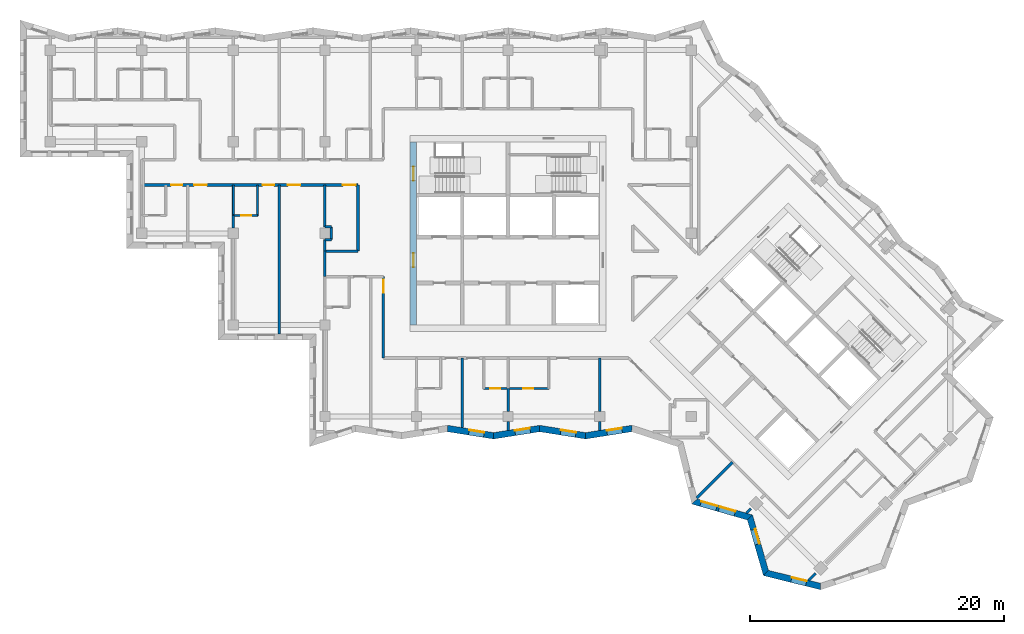
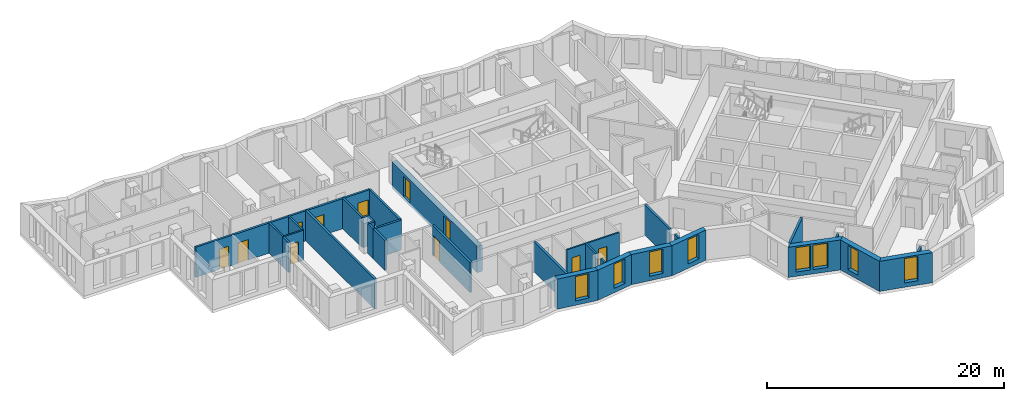
# One storey, part 3 of 13: 32 walls, 11 doors, 8 windows, 19 openings.
"""IFC4 building model written with IfcOpenShell, lengths in metres."""

from ifc_helpers import new_model, si_unit, direction, frame, frame_2d, origin, place, context, subcontext, project, spatial, polyline, rectangle, outline, extrude, material, layer, layer_set, type_object, element, fill, save


model = new_model("IFC4")

# Units and contexts
model_context = context("Model", 3, precision=1e-05, world=origin(), true_north=direction((0.0, 1.0)))
body_context = subcontext(model_context, "Body", "Model", "MODEL_VIEW")
ifc_project = project(units=[si_unit("LENGTHUNIT", "METRE"), si_unit("AREAUNIT", "SQUARE_METRE"), si_unit("VOLUMEUNIT", "CUBIC_METRE"), si_unit("PLANEANGLEUNIT", "RADIAN"), si_unit("MASSUNIT", "GRAM", prefix="KILO")], contexts=[model_context])

# Site, building, storey
site_placement = place(None, origin())
site = spatial("IfcSite", under=ifc_project, at=site_placement, CompositionType="ELEMENT")
building_placement = place(site_placement, origin())
building = spatial("IfcBuilding", under=site, at=building_placement, Name="Windrow Commons", CompositionType="ELEMENT")
storey_placement = place(building_placement, frame((0.0, 0.0, 220.2)))
storey = spatial("IfcBuildingStorey", under=building, at=storey_placement, Name="L60", CompositionType="ELEMENT", Elevation=220.2)

# Wall, opening, window
ifc_material_1 = material(Name="Brick masonry, red clay brick", Category="masonry")
ifc_layer_1 = layer(ifc_material_1, 0.5)
ifc_layer_set_1 = layer_set([ifc_layer_1], Name="Brick facade wall 500")
wall_type_1 = type_object("IfcWallType", Name="Brick facade wall 500", PredefinedType="SOLIDWALL", material=ifc_layer_set_1)
wall_1_placement = place(storey_placement, frame((60.048, 42.2531, 0.0), z_axis=(0.0, 0.0, 1.0), x_axis=(0.9877179637, -0.1562473175, 0.0)))
wall_1 = element("IfcWall", 1, at=wall_1_placement, inside=storey, type_object=wall_type_1, Name="Brick facade wall L60 41", PredefinedType="SOLIDWALL", context=body_context, shape_type="SweptSolid", body=[
    extrude(outline(polyline([(0.0395, -0.25), (3.7005, -0.25), (3.6214, 0.25), (-0.0395, 0.25), (0.0395, -0.25)])), origin(), (0.0, 0.0, 1.0), 3.1),
])
opening_1_placement = place(wall_1_placement, frame((1.6939, 0.0, 0.45)))
opening_1 = element("IfcOpeningElement", 2, at=opening_1_placement, cuts=wall_1, Name="Opening W7E", PredefinedType="OPENING", context=body_context, shape_type="SweptSolid", body=[
    extrude(rectangle(XDim=1.2, YDim=2.5, at=frame_2d((0.6, 1.25))), frame((0.0, 0.26, 0.0), z_axis=(0.0, -1.0, 0.0), x_axis=(1.0, 0.0, 0.0)), (0.0, 0.0, 1.0), 0.52),
])
ifc_material_2 = material(Name="Clear float glass in anodised aluminium frame", Category="aluminium")
window_type_1 = type_object("IfcWindowType", Name="Window W7 notch 1200x2500", PartitioningType="SINGLE_PANEL", PredefinedType="WINDOW", material=ifc_material_2)
window_1_placement = place(opening_1_placement, origin())
window_1 = element("IfcWindow", 3, at=window_1_placement, inside=storey, type_object=window_type_1, Name="Window L60 41.1", OverallHeight=2.5, OverallWidth=1.2, PartitioningType="SINGLE_PANEL", PredefinedType="WINDOW", context=body_context, shape_type="SweptSolid", body=[
    extrude(rectangle(XDim=1.2, YDim=2.5, at=frame_2d((0.6, 1.25))), frame((0.0, 0.18, 0.0), z_axis=(0.0, -1.0, 0.0), x_axis=(1.0, 0.0, 0.0)), (0.0, 0.0, 1.0), 0.06),
])
fill(opening_1, window_1)

wall_2_placement = place(storey_placement, frame((63.6639, 41.6811, 0.0), z_axis=(0.0, 0.0, 1.0), x_axis=(0.9877186305, 0.156243102, 0.0)))
wall_2 = element("IfcWall", 4, at=wall_2_placement, inside=storey, type_object=wall_type_1, Name="Brick facade wall L60 42", PredefinedType="SOLIDWALL", context=body_context, shape_type="SweptSolid", body=[
    extrude(outline(polyline([(-0.0395, -0.25), (3.6214, -0.25), (3.7005, 0.25), (0.0395, 0.25), (-0.0395, -0.25)])), origin(), (0.0, 0.0, 1.0), 3.1),
])
opening_2_placement = place(wall_2_placement, frame((1.7056, 0.0, 0.45)))
opening_2 = element("IfcOpeningElement", 5, at=opening_2_placement, cuts=wall_2, Name="Opening W7E", PredefinedType="OPENING", context=body_context, shape_type="SweptSolid", body=[
    extrude(rectangle(XDim=1.2, YDim=2.5, at=frame_2d((0.6, 1.25))), frame((0.0, 0.26, 0.0), z_axis=(0.0, -1.0, 0.0), x_axis=(1.0, 0.0, 0.0)), (0.0, 0.0, 1.0), 0.52),
])
window_2_placement = place(opening_2_placement, origin())
window_2 = element("IfcWindow", 6, at=window_2_placement, inside=storey, type_object=window_type_1, Name="Window L60 42.1", OverallHeight=2.5, OverallWidth=1.2, PartitioningType="SINGLE_PANEL", PredefinedType="WINDOW", context=body_context, shape_type="SweptSolid", body=[
    extrude(rectangle(XDim=1.2, YDim=2.5, at=frame_2d((0.6, 1.25))), frame((0.0, 0.18, 0.0), z_axis=(0.0, -1.0, 0.0), x_axis=(1.0, 0.0, 0.0)), (0.0, 0.0, 1.0), 0.06),
])
fill(opening_2, window_2)

wall_3_placement = place(storey_placement, frame((67.2799, 42.2531, 0.0), z_axis=(0.0, 0.0, 1.0), x_axis=(0.9877186305, -0.156243102, 0.0)))
wall_3 = element("IfcWall", 7, at=wall_3_placement, inside=storey, type_object=wall_type_1, Name="Brick facade wall L60 43", PredefinedType="SOLIDWALL", context=body_context, shape_type="SweptSolid", body=[
    extrude(outline(polyline([(0.0395, -0.25), (3.7005, -0.25), (3.6214, 0.25), (-0.0395, 0.25), (0.0395, -0.25)])), origin(), (0.0, 0.0, 1.0), 3.1),
])
opening_3_placement = place(wall_3_placement, frame((1.6777, 0.0, 0.45)))
opening_3 = element("IfcOpeningElement", 8, at=opening_3_placement, cuts=wall_3, Name="Opening W7E", PredefinedType="OPENING", context=body_context, shape_type="SweptSolid", body=[
    extrude(rectangle(XDim=1.2, YDim=2.5, at=frame_2d((0.6, 1.25))), frame((0.0, 0.26, 0.0), z_axis=(0.0, -1.0, 0.0), x_axis=(1.0, 0.0, 0.0)), (0.0, 0.0, 1.0), 0.52),
])
window_3_placement = place(opening_3_placement, origin())
window_3 = element("IfcWindow", 9, at=window_3_placement, inside=storey, type_object=window_type_1, Name="Window L60 43.1", OverallHeight=2.5, OverallWidth=1.2, PartitioningType="SINGLE_PANEL", PredefinedType="WINDOW", context=body_context, shape_type="SweptSolid", body=[
    extrude(rectangle(XDim=1.2, YDim=2.5, at=frame_2d((0.6, 1.25))), frame((0.0, 0.18, 0.0), z_axis=(0.0, -1.0, 0.0), x_axis=(1.0, 0.0, 0.0)), (0.0, 0.0, 1.0), 0.06),
])
fill(opening_3, window_3)

wall_4_placement = place(storey_placement, frame((70.8959, 41.6811, 0.0), z_axis=(0.0, 0.0, 1.0), x_axis=(0.9877177726, 0.1562485253, 0.0)))
wall_4 = element("IfcWall", 10, at=wall_4_placement, inside=storey, type_object=wall_type_1, Name="Brick facade wall L60 44", PredefinedType="SOLIDWALL", context=body_context, shape_type="SweptSolid", body=[
    extrude(outline(polyline([(-0.0395, -0.25), (3.6214, -0.25), (3.7412, 0.25), (0.0395, 0.25), (-0.0395, -0.25)])), origin(), (0.0, 0.0, 1.0), 3.1),
])
opening_4_placement = place(wall_4_placement, frame((1.6996, 0.0, 0.45)))
opening_4 = element("IfcOpeningElement", 11, at=opening_4_placement, cuts=wall_4, Name="Opening W7E", PredefinedType="OPENING", context=body_context, shape_type="SweptSolid", body=[
    extrude(rectangle(XDim=1.2, YDim=2.5, at=frame_2d((0.6, 1.25))), frame((0.0, 0.26, 0.0), z_axis=(0.0, -1.0, 0.0), x_axis=(1.0, 0.0, 0.0)), (0.0, 0.0, 1.0), 0.52),
])
window_4_placement = place(opening_4_placement, origin())
window_4 = element("IfcWindow", 12, at=window_4_placement, inside=storey, type_object=window_type_1, Name="Window L60 44.1", OverallHeight=2.5, OverallWidth=1.2, PartitioningType="SINGLE_PANEL", PredefinedType="WINDOW", context=body_context, shape_type="SweptSolid", body=[
    extrude(rectangle(XDim=1.2, YDim=2.5, at=frame_2d((0.6, 1.25))), frame((0.0, 0.18, 0.0), z_axis=(0.0, -1.0, 0.0), x_axis=(1.0, 0.0, 0.0)), (0.0, 0.0, 1.0), 0.06),
])
fill(opening_4, window_4)

# Wall, openings, windows
wall_5_placement = place(storey_placement, frame((79.4524, 36.5176, 0.0), z_axis=(0.0, 0.0, 1.0), x_axis=(0.960966817, -0.2766636526, 0.0)))
wall_5 = element("IfcWall", 13, at=wall_5_placement, inside=storey, type_object=wall_type_1, Name="Brick facade wall L60 47", PredefinedType="SOLIDWALL", context=body_context, shape_type="SweptSolid", body=[
    extrude(outline(polyline([(-0.1444, -0.25), (4.4023, -0.25), (4.6787, 0.25), (0.1444, 0.25), (-0.1444, -0.25)])), origin(), (0.0, 0.0, 1.0), 3.1),
])
opening_5_placement = place(wall_5_placement, frame((0.514, 0.0, 0.45)))
opening_5 = element("IfcOpeningElement", 14, at=opening_5_placement, cuts=wall_5, Name="Opening W1Q", PredefinedType="OPENING", context=body_context, shape_type="SweptSolid", body=[
    extrude(rectangle(XDim=1.3, YDim=2.5, at=frame_2d((0.65, 1.25))), frame((0.0, 0.26, 0.0), z_axis=(0.0, -1.0, 0.0), x_axis=(1.0, 0.0, 0.0)), (0.0, 0.0, 1.0), 0.52),
])
opening_6_placement = place(wall_5_placement, frame((2.014, 0.0, 0.45)))
opening_6 = element("IfcOpeningElement", 15, at=opening_6_placement, cuts=wall_5, Name="Opening W1Q", PredefinedType="OPENING", context=body_context, shape_type="SweptSolid", body=[
    extrude(rectangle(XDim=1.3, YDim=2.5, at=frame_2d((0.65, 1.25))), frame((0.0, 0.26, 0.0), z_axis=(0.0, -1.0, 0.0), x_axis=(1.0, 0.0, 0.0)), (0.0, 0.0, 1.0), 0.52),
])
ifc_material_3 = material(Name="Clear float glass in anodised aluminium frame", Category="aluminium")
window_type_2 = type_object("IfcWindowType", Name="Window W1Q pair 1300x2500", PartitioningType="SINGLE_PANEL", PredefinedType="WINDOW", material=ifc_material_3)
window_5_placement = place(opening_5_placement, origin())
window_5 = element("IfcWindow", 16, at=window_5_placement, inside=storey, type_object=window_type_2, Name="Window L60 47.1A", OverallHeight=2.5, OverallWidth=1.3, PartitioningType="SINGLE_PANEL", PredefinedType="WINDOW", context=body_context, shape_type="SweptSolid", body=[
    extrude(rectangle(XDim=1.3, YDim=2.5, at=frame_2d((0.65, 1.25))), frame((0.0, 0.18, 0.0), z_axis=(0.0, -1.0, 0.0), x_axis=(1.0, 0.0, 0.0)), (0.0, 0.0, 1.0), 0.06),
])
fill(opening_5, window_5)
window_6_placement = place(opening_6_placement, origin())
window_6 = element("IfcWindow", 17, at=window_6_placement, inside=storey, type_object=window_type_2, Name="Window L60 47.1B", OverallHeight=2.5, OverallWidth=1.3, PartitioningType="SINGLE_PANEL", PredefinedType="WINDOW", context=body_context, shape_type="SweptSolid", body=[
    extrude(rectangle(XDim=1.3, YDim=2.5, at=frame_2d((0.65, 1.25))), frame((0.0, 0.18, 0.0), z_axis=(0.0, -1.0, 0.0), x_axis=(1.0, 0.0, 0.0)), (0.0, 0.0, 1.0), 0.06),
])
fill(opening_6, window_6)

# Wall, opening, window
wall_6_placement = place(storey_placement, frame((83.8157, 35.2614, 0.0), z_axis=(0.0, 0.0, 1.0), x_axis=(0.2766636526, -0.960966817, 0.0)))
wall_6 = element("IfcWall", 18, at=wall_6_placement, inside=storey, type_object=wall_type_1, Name="Brick facade wall L60 48", PredefinedType="SOLIDWALL", context=body_context, shape_type="SweptSolid", body=[
    extrude(outline(polyline([(0.1382, -0.25), (4.6849, -0.25), (4.3961, 0.25), (-0.1382, 0.25), (0.1382, -0.25)])), origin(), (0.0, 0.0, 1.0), 3.1),
])
opening_7_placement = place(wall_6_placement, frame((0.9888, 0.0, 0.45)))
opening_7 = element("IfcOpeningElement", 19, at=opening_7_placement, cuts=wall_6, Name="Opening W7E", PredefinedType="OPENING", context=body_context, shape_type="SweptSolid", body=[
    extrude(rectangle(XDim=1.2, YDim=2.5, at=frame_2d((0.6, 1.25))), frame((0.0, 0.26, 0.0), z_axis=(0.0, -1.0, 0.0), x_axis=(1.0, 0.0, 0.0)), (0.0, 0.0, 1.0), 0.52),
])
window_7_placement = place(opening_7_placement, origin())
window_7 = element("IfcWindow", 20, at=window_7_placement, inside=storey, type_object=window_type_1, Name="Window L60 48.1", OverallHeight=2.5, OverallWidth=1.2, PartitioningType="SINGLE_PANEL", PredefinedType="WINDOW", context=body_context, shape_type="SweptSolid", body=[
    extrude(rectangle(XDim=1.2, YDim=2.5, at=frame_2d((0.6, 1.25))), frame((0.0, 0.18, 0.0), z_axis=(0.0, -1.0, 0.0), x_axis=(1.0, 0.0, 0.0)), (0.0, 0.0, 1.0), 0.06),
])
fill(opening_7, window_7)

wall_7_placement = place(storey_placement, frame((85.0719, 30.8981, 0.0), z_axis=(0.0, 0.0, 1.0), x_axis=(0.9707042236, -0.2402775693, 0.0)))
wall_7 = element("IfcWall", 21, at=wall_7_placement, inside=storey, type_object=wall_type_1, Name="Brick facade wall L60 49", PredefinedType="SOLIDWALL", context=body_context, shape_type="SweptSolid", body=[
    extrude(outline(polyline([(-0.1444, -0.25), (4.5024, -0.25), (4.3574, 0.25), (0.1444, 0.25), (-0.1444, -0.25)])), origin(), (0.0, 0.0, 1.0), 3.1),
])
opening_8_placement = place(wall_7_placement, frame((2.0628, 0.0, 0.45)))
opening_8 = element("IfcOpeningElement", 22, at=opening_8_placement, cuts=wall_7, Name="Opening W7E", PredefinedType="OPENING", context=body_context, shape_type="SweptSolid", body=[
    extrude(rectangle(XDim=1.2, YDim=2.5, at=frame_2d((0.6, 1.25))), frame((0.0, 0.26, 0.0), z_axis=(0.0, -1.0, 0.0), x_axis=(1.0, 0.0, 0.0)), (0.0, 0.0, 1.0), 0.52),
])
window_8_placement = place(opening_8_placement, origin())
window_8 = element("IfcWindow", 23, at=window_8_placement, inside=storey, type_object=window_type_1, Name="Window L60 49.1", OverallHeight=2.5, OverallWidth=1.2, PartitioningType="SINGLE_PANEL", PredefinedType="WINDOW", context=body_context, shape_type="SweptSolid", body=[
    extrude(rectangle(XDim=1.2, YDim=2.5, at=frame_2d((0.6, 1.25))), frame((0.0, 0.18, 0.0), z_axis=(0.0, -1.0, 0.0), x_axis=(1.0, 0.0, 0.0)), (0.0, 0.0, 1.0), 0.06),
])
fill(opening_8, window_8)

# Wall, openings, doors
ifc_material_4 = material(Name="Blockwork partition", Category="masonry")
ifc_layer_2 = layer(ifc_material_4, 0.2)
ifc_layer_set_2 = layer_set([ifc_layer_2], Name="IW-CORRIDOR-200")
wall_type_2 = type_object("IfcWallType", Name="IW-CORRIDOR-200", PredefinedType="PARTITIONING", material=ifc_layer_set_2)
wall_8_placement = place(storey_placement, frame((36.0, 61.4, 0.0), z_axis=(0.0, 0.0, 1.0), x_axis=(1.0, 0.0, 0.0)))
wall_8 = element("IfcWall", 24, at=wall_8_placement, inside=storey, type_object=wall_type_2, Name="W-L60-W002", PredefinedType="PARTITIONING", context=body_context, shape_type="SweptSolid", body=[
    extrude(rectangle(XDim=17.0, YDim=0.2, at=frame_2d((8.5, 0.0))), origin(), (0.0, 0.0, 1.0), 3.1),
])
opening_9_placement = place(wall_8_placement, frame((2.3, 0.0, 0.0)))
opening_9 = element("IfcOpeningElement", 25, at=opening_9_placement, cuts=wall_8, Name="Opening D109S", PredefinedType="OPENING", context=body_context, shape_type="SweptSolid", body=[
    extrude(rectangle(XDim=0.9, YDim=2.1, at=frame_2d((0.45, 1.05))), frame((0.0, 0.11, 0.0), z_axis=(0.0, -1.0, 0.0), x_axis=(1.0, 0.0, 0.0)), (0.0, 0.0, 1.0), 0.22),
])
opening_10_placement = place(wall_8_placement, frame((4.125, 0.0, 0.0)))
opening_10 = element("IfcOpeningElement", 26, at=opening_10_placement, cuts=wall_8, Name="Opening D310F", PredefinedType="OPENING", context=body_context, shape_type="SweptSolid", body=[
    extrude(rectangle(XDim=1.0, YDim=2.1, at=frame_2d((0.5, 1.05))), frame((0.0, 0.11, 0.0), z_axis=(0.0, -1.0, 0.0), x_axis=(1.0, 0.0, 0.0)), (0.0, 0.0, 1.0), 0.22),
])
opening_11_placement = place(wall_8_placement, frame((9.5, 0.0, 0.0)))
opening_11 = element("IfcOpeningElement", 27, at=opening_11_placement, cuts=wall_8, Name="Opening D109S", PredefinedType="OPENING", context=body_context, shape_type="SweptSolid", body=[
    extrude(rectangle(XDim=0.9, YDim=2.1, at=frame_2d((0.45, 1.05))), frame((0.0, 0.11, 0.0), z_axis=(0.0, -1.0, 0.0), x_axis=(1.0, 0.0, 0.0)), (0.0, 0.0, 1.0), 0.22),
])
opening_12_placement = place(wall_8_placement, frame((11.48, 0.0, 0.0)))
opening_12 = element("IfcOpeningElement", 28, at=opening_12_placement, cuts=wall_8, Name="Opening D310F", PredefinedType="OPENING", context=body_context, shape_type="SweptSolid", body=[
    extrude(rectangle(XDim=1.0, YDim=2.1, at=frame_2d((0.5, 1.05))), frame((0.0, 0.11, 0.0), z_axis=(0.0, -1.0, 0.0), x_axis=(1.0, 0.0, 0.0)), (0.0, 0.0, 1.0), 0.22),
])
opening_13_placement = place(wall_8_placement, frame((15.805, 0.0, 0.0)))
opening_13 = element("IfcOpeningElement", 29, at=opening_13_placement, cuts=wall_8, Name="Opening D410F", PredefinedType="OPENING", context=body_context, shape_type="SweptSolid", body=[
    extrude(rectangle(XDim=1.0, YDim=2.1, at=frame_2d((0.5, 1.05))), frame((0.0, 0.11, 0.0), z_axis=(0.0, -1.0, 0.0), x_axis=(1.0, 0.0, 0.0)), (0.0, 0.0, 1.0), 0.22),
])
ifc_material_5 = material(Name="Timber door leaf", Category="wood")
door_type_1 = type_object("IfcDoorType", Name="DT-AMENITY-1000", OperationType="SINGLE_SWING_LEFT", PredefinedType="DOOR", material=ifc_material_5)
door_1_placement = place(opening_10_placement, origin())
door_1 = element("IfcDoor", 30, at=door_1_placement, inside=storey, type_object=door_type_1, Name="D-L60-D011", OperationType="SINGLE_SWING_RIGHT", OverallHeight=2.1, OverallWidth=1.0, PredefinedType="DOOR", context=body_context, shape_type="SweptSolid", body=[
    extrude(rectangle(XDim=1.0, YDim=2.1, at=frame_2d((0.5, 1.05))), frame((0.0, 0.025, 0.0), z_axis=(0.0, -1.0, 0.0), x_axis=(1.0, 0.0, 0.0)), (0.0, 0.0, 1.0), 0.05),
])
fill(opening_10, door_1)
door_2_placement = place(opening_12_placement, origin())
door_2 = element("IfcDoor", 31, at=door_2_placement, inside=storey, type_object=door_type_1, Name="D-L60-D025", OperationType="SINGLE_SWING_RIGHT", OverallHeight=2.1, OverallWidth=1.0, PredefinedType="DOOR", context=body_context, shape_type="SweptSolid", body=[
    extrude(rectangle(XDim=1.0, YDim=2.1, at=frame_2d((0.5, 1.05))), frame((0.0, 0.025, 0.0), z_axis=(0.0, -1.0, 0.0), x_axis=(1.0, 0.0, 0.0)), (0.0, 0.0, 1.0), 0.05),
])
fill(opening_12, door_2)
ifc_material_6 = material(Name="Timber door leaf", Category="wood")
door_type_2 = type_object("IfcDoorType", Name="DT-BEDROOM-900", OperationType="SINGLE_SWING_LEFT", PredefinedType="DOOR", material=ifc_material_6)
door_3_placement = place(opening_9_placement, origin())
door_3 = element("IfcDoor", 32, at=door_3_placement, inside=storey, type_object=door_type_2, Name="D-L60-D009", OperationType="SINGLE_SWING_LEFT", OverallHeight=2.1, OverallWidth=0.9, PredefinedType="DOOR", context=body_context, shape_type="SweptSolid", body=[
    extrude(rectangle(XDim=0.9, YDim=2.1, at=frame_2d((0.45, 1.05))), frame((0.0, 0.025, 0.0), z_axis=(0.0, -1.0, 0.0), x_axis=(1.0, 0.0, 0.0)), (0.0, 0.0, 1.0), 0.05),
])
fill(opening_9, door_3)
door_4_placement = place(opening_11_placement, origin())
door_4 = element("IfcDoor", 33, at=door_4_placement, inside=storey, type_object=door_type_2, Name="D-L60-D012", OperationType="SINGLE_SWING_LEFT", OverallHeight=2.1, OverallWidth=0.9, PredefinedType="DOOR", context=body_context, shape_type="SweptSolid", body=[
    extrude(rectangle(XDim=0.9, YDim=2.1, at=frame_2d((0.45, 1.05))), frame((0.0, 0.025, 0.0), z_axis=(0.0, -1.0, 0.0), x_axis=(1.0, 0.0, 0.0)), (0.0, 0.0, 1.0), 0.05),
])
fill(opening_11, door_4)
ifc_material_7 = material(Name="Timber door leaf", Category="wood")
door_type_3 = type_object("IfcDoorType", Name="DT-SERVICE-1000", OperationType="SINGLE_SWING_LEFT", PredefinedType="DOOR", material=ifc_material_7)
door_5_placement = place(opening_13_placement, origin())
door_5 = element("IfcDoor", 34, at=door_5_placement, inside=storey, type_object=door_type_3, Name="D-L60-D029", OperationType="SINGLE_SWING_LEFT", OverallHeight=2.1, OverallWidth=1.0, PredefinedType="DOOR", context=body_context, shape_type="SweptSolid", body=[
    extrude(rectangle(XDim=1.0, YDim=2.1, at=frame_2d((0.5, 1.05))), frame((0.0, 0.025, 0.0), z_axis=(0.0, -1.0, 0.0), x_axis=(1.0, 0.0, 0.0)), (0.0, 0.0, 1.0), 0.05),
])
fill(opening_13, door_5)

# Wall, opening, door
wall_9_placement = place(storey_placement, frame((55.0, 47.8, 0.0), z_axis=(0.0, 0.0, 1.0), x_axis=(0.0, 1.0, 0.0)))
wall_9 = element("IfcWall", 35, at=wall_9_placement, inside=storey, type_object=wall_type_2, Name="W-L60-W020", PredefinedType="PARTITIONING", context=body_context, shape_type="SweptSolid", body=[
    extrude(rectangle(XDim=6.4, YDim=0.2, at=frame_2d((3.2, 0.0))), origin(), (0.0, 0.0, 1.0), 3.1),
])
opening_14_placement = place(wall_9_placement, frame((5.1475, 0.0, 0.0)))
opening_14 = element("IfcOpeningElement", 36, at=opening_14_placement, cuts=wall_9, Name="Opening D310F", PredefinedType="OPENING", context=body_context, shape_type="SweptSolid", body=[
    extrude(rectangle(XDim=1.0, YDim=2.1, at=frame_2d((0.5, 1.05))), frame((0.0, 0.11, 0.0), z_axis=(0.0, -1.0, 0.0), x_axis=(1.0, 0.0, 0.0)), (0.0, 0.0, 1.0), 0.22),
])
door_6_placement = place(opening_14_placement, origin())
door_6 = element("IfcDoor", 37, at=door_6_placement, inside=storey, type_object=door_type_1, Name="D-L60-D028", OperationType="SINGLE_SWING_RIGHT", OverallHeight=2.1, OverallWidth=1.0, PredefinedType="DOOR", context=body_context, shape_type="SweptSolid", body=[
    extrude(rectangle(XDim=1.0, YDim=2.1, at=frame_2d((0.5, 1.05))), frame((0.0, 0.025, 0.0), z_axis=(0.0, -1.0, 0.0), x_axis=(1.0, 0.0, 0.0)), (0.0, 0.0, 1.0), 0.05),
])
fill(opening_14, door_6)

# Walls
wall_10_placement = place(storey_placement, frame((53.0, 56.202, 0.0), z_axis=(0.0, 0.0, 1.0), x_axis=(0.0, 1.0, 0.0)))
element("IfcWall", 38, at=wall_10_placement, inside=storey, type_object=wall_type_2, Name="W-L60-W029", PredefinedType="PARTITIONING", context=body_context, shape_type="SweptSolid", body=[
    extrude(rectangle(XDim=5.198, YDim=0.2, at=frame_2d((2.599, 0.0))), origin(), (0.0, 0.0, 1.0), 3.1),
])
wall_11_placement = place(storey_placement, frame((50.4, 56.2, 0.0), z_axis=(0.0, 0.0, 1.0), x_axis=(1.0, 0.0, 0.0)))
element("IfcWall", 39, at=wall_11_placement, inside=storey, type_object=wall_type_2, Name="W-L60-W066", PredefinedType="PARTITIONING", context=body_context, shape_type="SweptSolid", body=[
    extrude(rectangle(XDim=2.6, YDim=0.2, at=frame_2d((1.3, 0.0))), origin(), (0.0, 0.0, 1.0), 3.1),
])
wall_12_placement = place(storey_placement, frame((50.4, 54.2, 0.0), z_axis=(0.0, 0.0, 1.0), x_axis=(0.0, 1.0, 0.0)))
element("IfcWall", 40, at=wall_12_placement, inside=storey, type_object=wall_type_2, Name="W-L60-W109", PredefinedType="PARTITIONING", context=body_context, shape_type="SweptSolid", body=[
    extrude(rectangle(XDim=2.0, YDim=0.2, at=frame_2d((1.0, 0.0))), origin(), (0.0, 0.0, 1.0), 3.1),
])

# Wall, openings, doors
ifc_material_8 = material(Name="Blockwork partition", Category="masonry")
ifc_layer_3 = layer(ifc_material_8, 0.15)
ifc_layer_set_3 = layer_set([ifc_layer_3], Name="IW-ENSUITE-150")
wall_type_3 = type_object("IfcWallType", Name="IW-ENSUITE-150", PredefinedType="PARTITIONING", material=ifc_layer_set_3)
wall_13_placement = place(storey_placement, frame((62.9, 45.4, 0.0), z_axis=(0.0, 0.0, 1.0), x_axis=(1.0, 0.0, 0.0)))
wall_13 = element("IfcWall", 41, at=wall_13_placement, inside=storey, type_object=wall_type_3, Name="W-L60-W030", PredefinedType="PARTITIONING", context=body_context, shape_type="SweptSolid", body=[
    extrude(rectangle(XDim=5.1, YDim=0.15, at=frame_2d((2.55, 0.0))), origin(), (0.0, 0.0, 1.0), 3.1),
])
opening_15_placement = place(wall_13_placement, frame((0.4931, 0.0, 0.0)))
opening_15 = element("IfcOpeningElement", 42, at=opening_15_placement, cuts=wall_13, Name="Opening D208N", PredefinedType="OPENING", context=body_context, shape_type="SweptSolid", body=[
    extrude(rectangle(XDim=0.8, YDim=2.1, at=frame_2d((0.4, 1.05))), frame((0.0, 0.085, 0.0), z_axis=(0.0, -1.0, 0.0), x_axis=(1.0, 0.0, 0.0)), (0.0, 0.0, 1.0), 0.17),
])
opening_16_placement = place(wall_13_placement, frame((3.0958, 0.0, 0.0)))
opening_16 = element("IfcOpeningElement", 43, at=opening_16_placement, cuts=wall_13, Name="Opening D208N", PredefinedType="OPENING", context=body_context, shape_type="SweptSolid", body=[
    extrude(rectangle(XDim=0.8, YDim=2.1, at=frame_2d((0.4, 1.05))), frame((0.0, 0.085, 0.0), z_axis=(0.0, -1.0, 0.0), x_axis=(1.0, 0.0, 0.0)), (0.0, 0.0, 1.0), 0.17),
])
ifc_material_9 = material(Name="Timber door leaf", Category="wood")
door_type_4 = type_object("IfcDoorType", Name="DT-ENSUITE-800", OperationType="SINGLE_SWING_LEFT", PredefinedType="DOOR", material=ifc_material_9)
door_7_placement = place(opening_15_placement, origin())
door_7 = element("IfcDoor", 44, at=door_7_placement, inside=storey, type_object=door_type_4, Name="D-L60-D033", OperationType="SINGLE_SWING_RIGHT", OverallHeight=2.1, OverallWidth=0.8, PredefinedType="DOOR", context=body_context, shape_type="SweptSolid", body=[
    extrude(rectangle(XDim=0.8, YDim=2.1, at=frame_2d((0.4, 1.05))), frame((0.0, 0.025, 0.0), z_axis=(0.0, -1.0, 0.0), x_axis=(1.0, 0.0, 0.0)), (0.0, 0.0, 1.0), 0.05),
])
fill(opening_15, door_7)
door_8_placement = place(opening_16_placement, origin())
door_8 = element("IfcDoor", 45, at=door_8_placement, inside=storey, type_object=door_type_4, Name="D-L60-D035", OperationType="SINGLE_SWING_RIGHT", OverallHeight=2.1, OverallWidth=0.8, PredefinedType="DOOR", context=body_context, shape_type="SweptSolid", body=[
    extrude(rectangle(XDim=0.8, YDim=2.1, at=frame_2d((0.4, 1.05))), frame((0.0, 0.025, 0.0), z_axis=(0.0, -1.0, 0.0), x_axis=(1.0, 0.0, 0.0)), (0.0, 0.0, 1.0), 0.05),
])
fill(opening_16, door_8)

# Walls
for number, where, z_axis, x_axis, name in (
    (46, (45.1, 59.0, 0.0), (0.0, 0.0, 1.0), (0.0, 1.0, 0.0), "W-L60-W082"),
    (47, (43.2, 59.0, 0.0), (0.0, 0.0, 1.0), (0.0, 1.0, 0.0), "W-L60-W083"),
):
    element("IfcWall", number, at=place(storey_placement, frame(where, z_axis=z_axis, x_axis=x_axis)), inside=storey, type_object=wall_type_3, Name=name, PredefinedType="PARTITIONING", context=body_context, shape_type="SweptSolid", body=[
        extrude(rectangle(XDim=2.4, YDim=0.15, at=frame_2d((1.2, 0.0))), origin(), (0.0, 0.0, 1.0), 3.1),
    ])

# Wall, opening, door
wall_14_placement = place(storey_placement, frame((43.2, 59.0, 0.0), z_axis=(0.0, 0.0, 1.0), x_axis=(1.0, 0.0, 0.0)))
wall_14 = element("IfcWall", 48, at=wall_14_placement, inside=storey, type_object=wall_type_3, Name="W-L60-W120", PredefinedType="PARTITIONING", context=body_context, shape_type="SweptSolid", body=[
    extrude(rectangle(XDim=1.9, YDim=0.15, at=frame_2d((0.95, 0.0))), origin(), (0.0, 0.0, 1.0), 3.1),
])
opening_17_placement = place(wall_14_placement, frame((0.6069, 0.0, 0.0)))
opening_17 = element("IfcOpeningElement", 49, at=opening_17_placement, cuts=wall_14, Name="Opening D208N", PredefinedType="OPENING", context=body_context, shape_type="SweptSolid", body=[
    extrude(rectangle(XDim=0.8, YDim=2.1, at=frame_2d((0.4, 1.05))), frame((0.0, 0.085, 0.0), z_axis=(0.0, -1.0, 0.0), x_axis=(1.0, 0.0, 0.0)), (0.0, 0.0, 1.0), 0.17),
])
door_9_placement = place(opening_17_placement, origin())
door_9 = element("IfcDoor", 50, at=door_9_placement, inside=storey, type_object=door_type_4, Name="D-L60-D013", OperationType="SINGLE_SWING_RIGHT", OverallHeight=2.1, OverallWidth=0.8, PredefinedType="DOOR", context=body_context, shape_type="SweptSolid", body=[
    extrude(rectangle(XDim=0.8, YDim=2.1, at=frame_2d((0.4, 1.05))), frame((0.0, 0.025, 0.0), z_axis=(0.0, -1.0, 0.0), x_axis=(1.0, 0.0, 0.0)), (0.0, 0.0, 1.0), 0.05),
])
fill(opening_17, door_9)

# Walls
ifc_material_10 = material(Name="Blockwork partition", Category="masonry")
ifc_layer_4 = layer(ifc_material_10, 0.2)
ifc_layer_set_4 = layer_set([ifc_layer_4], Name="IW-PARTY-200")
wall_type_4 = type_object("IfcWallType", Name="IW-PARTY-200", PredefinedType="PARTITIONING", material=ifc_layer_set_4)
wall_15_placement = place(storey_placement, frame((46.8, 49.7, 0.0), z_axis=(0.0, 0.0, 1.0), x_axis=(0.0, 1.0, 0.0)))
element("IfcWall", 51, at=wall_15_placement, inside=storey, type_object=wall_type_4, Name="W-L60-W006", PredefinedType="PARTITIONING", context=body_context, shape_type="SweptSolid", body=[
    extrude(rectangle(XDim=11.7, YDim=0.2, at=frame_2d((5.85, 0.0))), origin(), (0.0, 0.0, 1.0), 3.1),
])
wall_16_placement = place(storey_placement, frame((61.2, 42.324, 0.0), z_axis=(0.0, 0.0, 1.0), x_axis=(0.0, 1.0, 0.0)))
element("IfcWall", 52, at=wall_16_placement, inside=storey, type_object=wall_type_4, Name="W-L60-W027", PredefinedType="PARTITIONING", context=body_context, shape_type="SweptSolid", body=[
    extrude(rectangle(XDim=5.476, YDim=0.2, at=frame_2d((2.738, 0.0))), origin(), (0.0, 0.0, 1.0), 3.1),
])
wall_17_placement = place(storey_placement, frame((72.0, 43.6, 0.0), z_axis=(0.0, 0.0, 1.0), x_axis=(0.0, 1.0, 0.0)))
element("IfcWall", 53, at=wall_17_placement, inside=storey, type_object=wall_type_4, Name="W-L60-W043", PredefinedType="PARTITIONING", context=body_context, shape_type="SweptSolid", body=[
    extrude(rectangle(XDim=4.2, YDim=0.2, at=frame_2d((2.1, 0.0))), origin(), (0.0, 0.0, 1.0), 3.1),
])
wall_18_placement = place(storey_placement, frame((79.6394, 36.8028, 0.0), z_axis=(0.0, 0.0, 1.0), x_axis=(0.7071067812, 0.7071067812, 0.0)))
element("IfcWall", 54, at=wall_18_placement, inside=storey, type_object=wall_type_4, Name="W-L60-W047", PredefinedType="PARTITIONING", context=body_context, shape_type="SweptSolid", body=[
    extrude(rectangle(XDim=3.9766, YDim=0.2, at=frame_2d((1.9883, 0.0))), origin(), (0.0, 0.0, 1.0), 3.1),
])
wall_19_placement = place(storey_placement, frame((50.4, 58.106, 0.0), z_axis=(0.0, 0.0, 1.0), x_axis=(0.0, 1.0, 0.0)))
element("IfcWall", 55, at=wall_19_placement, inside=storey, type_object=wall_type_4, Name="W-L60-W061", PredefinedType="PARTITIONING", context=body_context, shape_type="SweptSolid", body=[
    extrude(rectangle(XDim=3.294, YDim=0.2, at=frame_2d((1.647, 0.0))), origin(), (0.0, 0.0, 1.0), 3.1),
])
wall_20_placement = place(storey_placement, frame((64.8, 43.6, 0.0), z_axis=(0.0, 0.0, 1.0), x_axis=(0.0, 1.0, 0.0)))
element("IfcWall", 56, at=wall_20_placement, inside=storey, type_object=wall_type_4, Name="W-L60-W129", PredefinedType="PARTITIONING", context=body_context, shape_type="SweptSolid", body=[
    extrude(rectangle(XDim=1.8, YDim=0.2, at=frame_2d((0.9, 0.0))), origin(), (0.0, 0.0, 1.0), 3.1),
])
wall_21_placement = place(storey_placement, frame((50.9, 57.096, 0.0), z_axis=(0.0, 0.0, 1.0), x_axis=(0.0, 1.0, 0.0)))
element("IfcWall", 57, at=wall_21_placement, inside=storey, type_object=wall_type_4, Name="W-L60-W137", PredefinedType="PARTITIONING", context=body_context, shape_type="SweptSolid", body=[
    extrude(rectangle(XDim=1.01, YDim=0.2, at=frame_2d((0.505, 0.0))), origin(), (0.0, 0.0, 1.0), 3.1),
])
wall_22_placement = place(storey_placement, frame((43.2, 58.0, 0.0), z_axis=(0.0, 0.0, 1.0), x_axis=(0.0, 1.0, 0.0)))
element("IfcWall", 58, at=wall_22_placement, inside=storey, type_object=wall_type_4, Name="W-L60-W143", PredefinedType="PARTITIONING", context=body_context, shape_type="SweptSolid", body=[
    extrude(rectangle(XDim=1.0, YDim=0.2, at=frame_2d((0.5, 0.0))), origin(), (0.0, 0.0, 1.0), 3.1),
])
wall_23_placement = place(storey_placement, frame((50.4, 56.2, 0.0), z_axis=(0.0, 0.0, 1.0), x_axis=(0.0, 1.0, 0.0)))
element("IfcWall", 59, at=wall_23_placement, inside=storey, type_object=wall_type_4, Name="W-L60-W145", PredefinedType="PARTITIONING", context=body_context, shape_type="SweptSolid", body=[
    extrude(rectangle(XDim=0.896, YDim=0.2, at=frame_2d((0.448, 0.0))), origin(), (0.0, 0.0, 1.0), 3.1),
])
wall_24_placement = place(storey_placement, frame((88.4389, 30.3222, 0.0), z_axis=(0.0, 0.0, 1.0), x_axis=(0.7085960355, 0.7056143837, 0.0)))
element("IfcWall", 60, at=wall_24_placement, inside=storey, type_object=wall_type_4, Name="W-L60-W150", PredefinedType="PARTITIONING", context=body_context, shape_type="SweptSolid", body=[
    extrude(rectangle(XDim=0.7714, YDim=0.2, at=frame_2d((0.3857, 0.0))), origin(), (0.0, 0.0, 1.0), 3.1),
])
wall_25_placement = place(storey_placement, frame((72.0, 42.1089, 0.0), z_axis=(0.0, 0.0, 1.0), x_axis=(0.0, 1.0, 0.0)))
element("IfcWall", 61, at=wall_25_placement, inside=storey, type_object=wall_type_4, Name="W-L60-W153", PredefinedType="PARTITIONING", context=body_context, shape_type="SweptSolid", body=[
    extrude(rectangle(XDim=0.6911, YDim=0.2, at=frame_2d((0.3456, 0.0))), origin(), (0.0, 0.0, 1.0), 3.1),
])
wall_26_placement = place(storey_placement, frame((64.8, 42.1139, 0.0), z_axis=(0.0, 0.0, 1.0), x_axis=(0.0, 1.0, 0.0)))
element("IfcWall", 62, at=wall_26_placement, inside=storey, type_object=wall_type_4, Name="W-L60-W154", PredefinedType="PARTITIONING", context=body_context, shape_type="SweptSolid", body=[
    extrude(rectangle(XDim=0.6861, YDim=0.2, at=frame_2d((0.3431, 0.0))), origin(), (0.0, 0.0, 1.0), 3.1),
])
for number, where, z_axis, x_axis, name in (
    (63, (50.4, 58.11, 0.0), (0.0, 0.0, 1.0), (1.0, 0.0, 0.0), "W-L60-W163"),
    (64, (50.4, 57.1, 0.0), (0.0, 0.0, 1.0), (1.0, 0.0, 0.0), "W-L60-W164"),
):
    element("IfcWall", number, at=place(storey_placement, frame(where, z_axis=z_axis, x_axis=x_axis)), inside=storey, type_object=wall_type_4, Name=name, PredefinedType="PARTITIONING", context=body_context, shape_type="SweptSolid", body=[
        extrude(rectangle(XDim=0.5, YDim=0.2, at=frame_2d((0.25, 0.0))), origin(), (0.0, 0.0, 1.0), 3.1),
    ])
wall_27_placement = place(storey_placement, frame((83.5265, 35.6048, 0.0), z_axis=(0.0, 0.0, 1.0), x_axis=(0.709548595, 0.7046565059, 0.0)))
element("IfcWall", 65, at=wall_27_placement, inside=storey, type_object=wall_type_4, Name="W-L60-W170", PredefinedType="PARTITIONING", context=body_context, shape_type="SweptSolid", body=[
    extrude(rectangle(XDim=0.511, YDim=0.2, at=frame_2d((0.2555, 0.0))), origin(), (0.0, 0.0, 1.0), 3.1),
])

# Wall, openings, doors
ifc_material_11 = material(Name="Concrete C40/50", Category="concrete")
ifc_layer_5 = layer(ifc_material_11, 0.5)
ifc_layer_set_5 = layer_set([ifc_layer_5], Name="RC CORE WALL 500 C40/50")
wall_type_5 = type_object("IfcWallType", Name="RC CORE WALL 500 C40/50", PredefinedType="SHEAR", material=ifc_layer_set_5)
wall_28_placement = place(storey_placement, frame((57.35, 50.4, -0.3), z_axis=(0.0, 0.0, 1.0), x_axis=(0.0, 1.0, 0.0)))
wall_28 = element("IfcWall", 66, at=wall_28_placement, inside=storey, type_object=wall_type_5, Name="Core A wall outer-W", PredefinedType="SHEAR", context=body_context, shape_type="SweptSolid", body=[
    extrude(rectangle(XDim=14.4, YDim=0.5, at=frame_2d((7.2, 0.0))), origin(), (0.0, 0.0, 1.0), 2.7),
])
opening_18_placement = place(wall_28_placement, frame((4.55, 0.0, 0.3)))
opening_18 = element("IfcOpeningElement", 67, at=opening_18_placement, cuts=wall_28, Name="Opening D6", PredefinedType="OPENING", context=body_context, shape_type="SweptSolid", body=[
    extrude(rectangle(XDim=1.1, YDim=2.1, at=frame_2d((0.55, 1.05))), frame((0.0, 0.26, 0.0), z_axis=(0.0, -1.0, 0.0), x_axis=(1.0, 0.0, 0.0)), (0.0, 0.0, 1.0), 0.52),
])
opening_19_placement = place(wall_28_placement, frame((11.35, 0.0, 0.3)))
opening_19 = element("IfcOpeningElement", 68, at=opening_19_placement, cuts=wall_28, Name="Opening D7", PredefinedType="OPENING", context=body_context, shape_type="SweptSolid", body=[
    extrude(rectangle(XDim=1.1, YDim=2.1, at=frame_2d((0.55, 1.05))), frame((0.0, 0.26, 0.0), z_axis=(0.0, -1.0, 0.0), x_axis=(1.0, 0.0, 0.0)), (0.0, 0.0, 1.0), 0.52),
])
ifc_material_12 = material(Name="Steel fire door leaf", Category="steel")
door_type_5 = type_object("IfcDoorType", Name="Core lobby door 1100", OperationType="SINGLE_SWING_LEFT", PredefinedType="DOOR", material=ifc_material_12)
door_10_placement = place(opening_18_placement, origin())
door_10 = element("IfcDoor", 69, at=door_10_placement, inside=storey, type_object=door_type_5, Name="Lift lobby door", OperationType="DOUBLE_DOOR_SINGLE_SWING", OverallHeight=2.1, OverallWidth=1.1, PredefinedType="DOOR", context=body_context, shape_type="SweptSolid", body=[
    extrude(rectangle(XDim=1.1, YDim=2.1, at=frame_2d((0.55, 1.05))), frame((0.0, 0.025, 0.0), z_axis=(0.0, -1.0, 0.0), x_axis=(1.0, 0.0, 0.0)), (0.0, 0.0, 1.0), 0.05),
])
fill(opening_18, door_10)
ifc_material_13 = material(Name="Steel fire door leaf", Category="steel")
door_type_6 = type_object("IfcDoorType", Name="Stair door 1100", OperationType="SINGLE_SWING_LEFT", PredefinedType="DOOR", material=ifc_material_13)
door_11_placement = place(opening_19_placement, origin())
door_11 = element("IfcDoor", 70, at=door_11_placement, inside=storey, type_object=door_type_6, Name="Stair door", OperationType="SINGLE_SWING_LEFT", OverallHeight=2.1, OverallWidth=1.1, PredefinedType="DOOR", context=body_context, shape_type="SweptSolid", body=[
    extrude(rectangle(XDim=1.1, YDim=2.1, at=frame_2d((0.55, 1.05))), frame((0.0, 0.025, 0.0), z_axis=(0.0, -1.0, 0.0), x_axis=(1.0, 0.0, 0.0)), (0.0, 0.0, 1.0), 0.05),
])
fill(opening_19, door_11)

save(model, "model.ifc")
